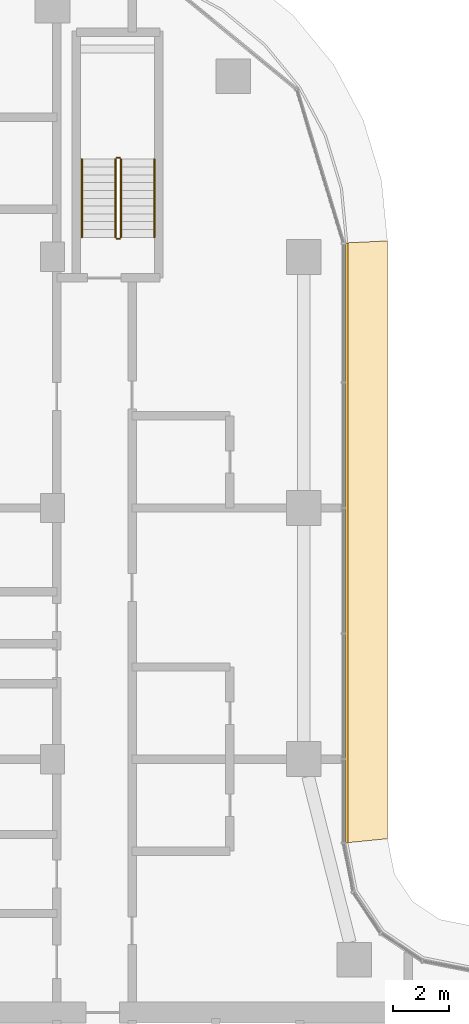
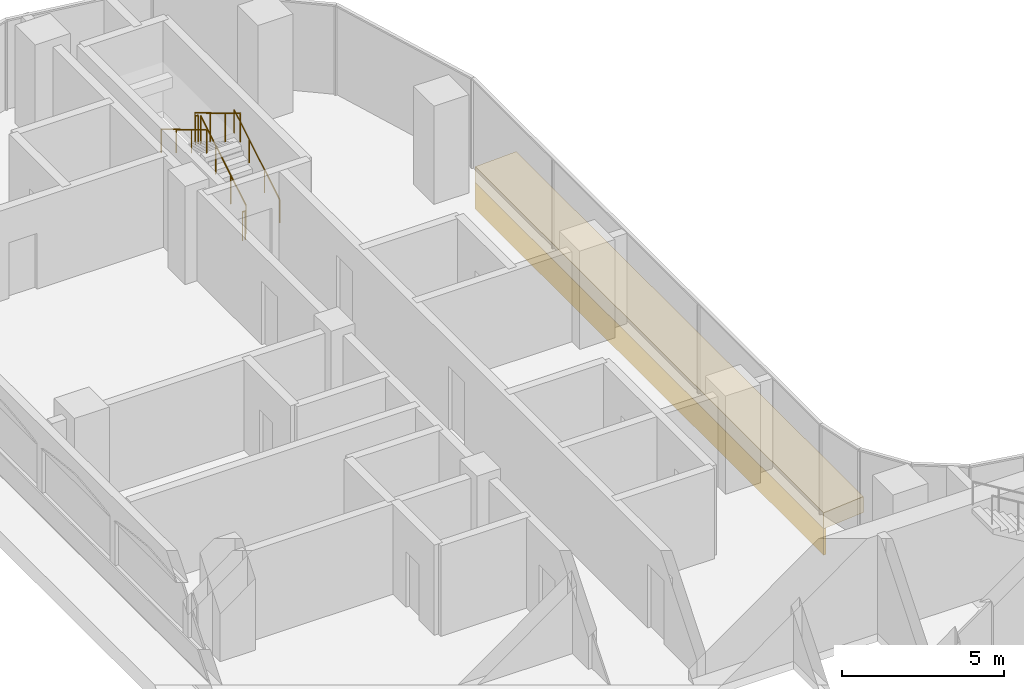
# One storey, part 24 of 25: 6 railings, 2 coverings.
"""IFC4 building model written with IfcOpenShell, lengths in metres."""

from ifc_helpers import new_model, si_unit, direction, frame, origin, origin_2d, place, context, subcontext, project, spatial, polyline, circle, outline, extrude, material, layer, layer_set, type_object, element, save


model = new_model("IFC4")

# Units and contexts
model_context = context("Model", 3, precision=1e-05, world=origin(), true_north=direction((0.0, 1.0)))
body_context = subcontext(model_context, "Body", "Model", "MODEL_VIEW")
ifc_project = project(units=[si_unit("LENGTHUNIT", "METRE"), si_unit("AREAUNIT", "SQUARE_METRE"), si_unit("VOLUMEUNIT", "CUBIC_METRE"), si_unit("PLANEANGLEUNIT", "RADIAN"), si_unit("MASSUNIT", "GRAM", prefix="KILO")], contexts=[model_context])

# Site, building, storey
site_placement = place(None, origin())
site = spatial("IfcSite", under=ifc_project, at=site_placement, CompositionType="ELEMENT")
building_placement = place(site_placement, origin())
building = spatial("IfcBuilding", under=site, at=building_placement, Name="Ogive Portal Towers", CompositionType="ELEMENT")
storey_placement = place(building_placement, frame((0.0, 0.0, 105.60009765625)))
storey = spatial("IfcBuildingStorey", under=building, at=storey_placement, Name="L25", CompositionType="ELEMENT", Elevation=105.60009765625)

# Railings
ifc_material_1 = material(Name="Stainless steel balustrade", Category="steel")
railing_type_1 = type_object("IfcRailingType", Name="INT-GUARD", PredefinedType="GUARDRAIL", material=ifc_material_1)
railing_1_placement = place(storey_placement, frame((42.949951171875, 67.199951171875, 0.16796875)))
element("IfcRailing", 1, at=railing_1_placement, inside=storey, type_object=railing_type_1, Name="L25 ST-A3 stair guard 1", PredefinedType="GUARDRAIL", context=body_context, shape_type="SweptSolid", body=[
    extrude(circle(Radius=0.02392578125, at=origin_2d()), frame((0.0, 0.0, 1.076171875), z_axis=(0.0, 0.857242210791, 0.514913383045), x_axis=(-1.0, 0.0, 0.0)), (0.0, 0.0, 1.0), 3.266357421875),
    extrude(circle(Radius=0.02099609375, at=origin_2d()), origin(), (0.0, 0.0, 1.0), 1.052001953125),
    extrude(circle(Radius=0.02099609375, at=origin_2d()), frame((0.0, 0.933349609375, 0.560546875)), (0.0, 0.0, 1.0), 1.052001953125),
    extrude(circle(Radius=0.02099609375, at=origin_2d()), frame((0.0, 1.86669921875, 1.121337890625)), (0.0, 0.0, 1.0), 1.052001953125),
    extrude(circle(Radius=0.02099609375, at=origin_2d()), frame((0.0, 2.800048828125, 1.681884765625)), (0.0, 0.0, 1.0), 1.052001953125),
])
railing_2_placement = place(storey_placement, frame((42.89990234375, 70.050048828125, 1.849853515625)))
element("IfcRailing", 2, at=railing_2_placement, inside=storey, type_object=railing_type_1, Name="L25 ST-A3 stair guard 2", PredefinedType="GUARDRAIL", context=body_context, shape_type="SweptSolid", body=[
    extrude(circle(Radius=0.02392578125, at=origin_2d()), frame((0.0, 0.0, 1.076171875), z_axis=(-1.0, 0.0, 0.0), x_axis=(0.0, -1.0, 0.0)), (0.0, 0.0, 1.0), 0.099853515625),
    extrude(circle(Radius=0.02099609375, at=origin_2d()), origin(), (0.0, 0.0, 1.0), 1.052001953125),
    extrude(circle(Radius=0.02099609375, at=origin_2d()), frame((-0.099853515625, 0.0, 0.0)), (0.0, 0.0, 1.0), 1.052001953125),
])
railing_3_placement = place(storey_placement, frame((42.75, 70.0, 2.01806640625)))
element("IfcRailing", 3, at=railing_3_placement, inside=storey, type_object=railing_type_1, Name="L25 ST-A3 stair guard 3", PredefinedType="GUARDRAIL", context=body_context, shape_type="SweptSolid", body=[
    extrude(circle(Radius=0.02392578125, at=origin_2d()), frame((0.0, 0.0, 1.076171875), z_axis=(0.0, -0.857242210791, 0.514913383045), x_axis=(1.0, 0.0, 0.0)), (0.0, 0.0, 1.0), 3.266357421875),
    extrude(circle(Radius=0.02099609375, at=origin_2d()), origin(), (0.0, 0.0, 1.0), 1.052001953125),
    extrude(circle(Radius=0.02099609375, at=origin_2d()), frame((0.0, -0.933349609375, 0.560546875)), (0.0, 0.0, 1.0), 1.052001953125),
    extrude(circle(Radius=0.02099609375, at=origin_2d()), frame((0.0, -1.86669921875, 1.121337890625)), (0.0, 0.0, 1.0), 1.052001953125),
    extrude(circle(Radius=0.02099609375, at=origin_2d()), frame((0.0, -2.800048828125, 1.681884765625)), (0.0, 0.0, 1.0), 1.052001953125),
])
railing_4_placement = place(storey_placement, frame((42.89990234375, 67.14990234375, 0.0)))
element("IfcRailing", 4, at=railing_4_placement, inside=storey, type_object=railing_type_1, Name="L25 ST-A3 stair guard 4", PredefinedType="GUARDRAIL", context=body_context, shape_type="SweptSolid", body=[
    extrude(circle(Radius=0.02392578125, at=origin_2d()), frame((0.0, 0.0, 1.076171875), z_axis=(-1.0, 0.0, 0.0), x_axis=(0.0, -1.0, 0.0)), (0.0, 0.0, 1.0), 0.099853515625),
    extrude(circle(Radius=0.02099609375, at=origin_2d()), origin(), (0.0, 0.0, 1.0), 1.052001953125),
    extrude(circle(Radius=0.02099609375, at=origin_2d()), frame((-0.099853515625, 0.0, 0.0)), (0.0, 0.0, 1.0), 1.052001953125),
])
ifc_material_2 = material(Name="Stainless steel handrail", Category="steel")
railing_type_2 = type_object("IfcRailingType", Name="INT-HANDRAIL", PredefinedType="HANDRAIL", material=ifc_material_2)
railing_5_placement = place(storey_placement, frame((44.14990234375, 67.199951171875, 0.16796875)))
element("IfcRailing", 5, at=railing_5_placement, inside=storey, type_object=railing_type_2, Name="L25 ST-A3 stair handrail 1", PredefinedType="HANDRAIL", context=body_context, shape_type="SweptSolid", body=[
    extrude(circle(Radius=0.02392578125, at=origin_2d()), frame((0.0, 0.0, 0.8759765625), z_axis=(0.0, 0.857242210791, 0.514913383045), x_axis=(-1.0, 0.0, 0.0)), (0.0, 0.0, 1.0), 3.266357421875),
    extrude(circle(Radius=0.02099609375, at=origin_2d()), origin(), (0.0, 0.0, 1.0), 0.851806640625),
    extrude(circle(Radius=0.02099609375, at=origin_2d()), frame((0.0, 0.933349609375, 0.560546875)), (0.0, 0.0, 1.0), 0.851806640625),
    extrude(circle(Radius=0.02099609375, at=origin_2d()), frame((0.0, 1.86669921875, 1.121337890625)), (0.0, 0.0, 1.0), 0.851806640625),
    extrude(circle(Radius=0.02099609375, at=origin_2d()), frame((0.0, 2.800048828125, 1.681884765625)), (0.0, 0.0, 1.0), 0.851806640625),
])
railing_6_placement = place(storey_placement, frame((41.550048828125, 70.0, 2.01806640625)))
element("IfcRailing", 6, at=railing_6_placement, inside=storey, type_object=railing_type_2, Name="L25 ST-A3 stair handrail 2", PredefinedType="HANDRAIL", context=body_context, shape_type="SweptSolid", body=[
    extrude(circle(Radius=0.02392578125, at=origin_2d()), frame((0.0, 0.0, 0.8759765625), z_axis=(0.0, -0.857242210791, 0.514913383045), x_axis=(1.0, 0.0, 0.0)), (0.0, 0.0, 1.0), 3.266357421875),
    extrude(circle(Radius=0.02099609375, at=origin_2d()), origin(), (0.0, 0.0, 1.0), 0.851806640625),
    extrude(circle(Radius=0.02099609375, at=origin_2d()), frame((0.0, -0.933349609375, 0.560546875)), (0.0, 0.0, 1.0), 0.851806640625),
    extrude(circle(Radius=0.02099609375, at=origin_2d()), frame((0.0, -1.86669921875, 1.121337890625)), (0.0, 0.0, 1.0), 0.851806640625),
    extrude(circle(Radius=0.02099609375, at=origin_2d()), frame((0.0, -2.800048828125, 1.681884765625)), (0.0, 0.0, 1.0), 0.851806640625),
])

# Coverings
ifc_material_3 = material(Name="Limestone cladding on lightweight block wall", Category="masonry")
ifc_layer_1 = layer(ifc_material_3, 0.080078125)
ifc_layer_set_1 = layer_set([ifc_layer_1], Name="STONE SPANDREL 80")
covering_type_1 = type_object("IfcCoveringType", Name="STONE SPANDREL 80", PredefinedType="CLADDING", material=ifc_layer_set_1)
covering_1_placement = place(storey_placement, frame((0.0, 0.0, -1.60009765625)))
element("IfcCovering", 7, at=covering_1_placement, inside=storey, type_object=covering_type_1, Name="Stone spandrel A1-F11", PredefinedType="CLADDING", context=body_context, shape_type="SweptSolid", body=[
    extrude(outline(polyline([(51.0, 45.5), (51.0, 67.0), (51.080078125, 67.00390625), (51.080078125, 45.5078125), (51.0, 45.5)])), origin(), (0.0, 0.0, 1.0), 1.0),
])
ifc_layer_2 = layer(ifc_material_3, 0.60009765625)
ifc_layer_set_2 = layer_set([ifc_layer_2], Name="SUNSHADE LIP 600")
covering_type_2 = type_object("IfcCoveringType", Name="SUNSHADE LIP 600", PredefinedType="CLADDING", material=ifc_layer_set_2)
covering_2_placement = place(storey_placement, frame((0.0, 0.0, -0.60009765625)))
element("IfcCovering", 8, at=covering_2_placement, inside=storey, type_object=covering_type_2, Name="Sunshade lip A1-F11", PredefinedType="CLADDING", context=body_context, shape_type="SweptSolid", body=[
    extrude(outline(polyline([(51.0, 45.5), (51.0, 67.0), (52.5, 67.07373046875), (52.5, 45.647705078125), (51.0, 45.5)])), origin(), (0.0, 0.0, 1.0), 0.60009765625),
])

save(model, "model.ifc")
